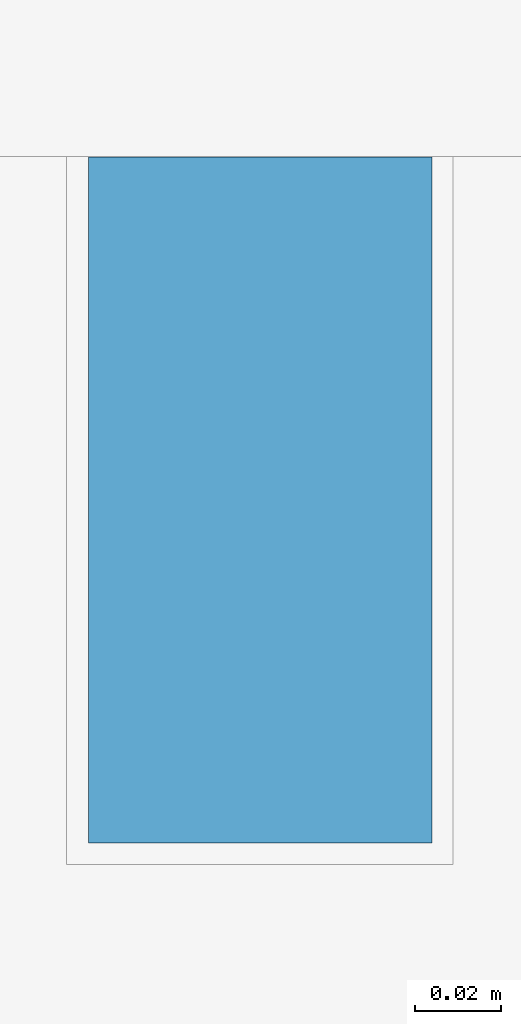
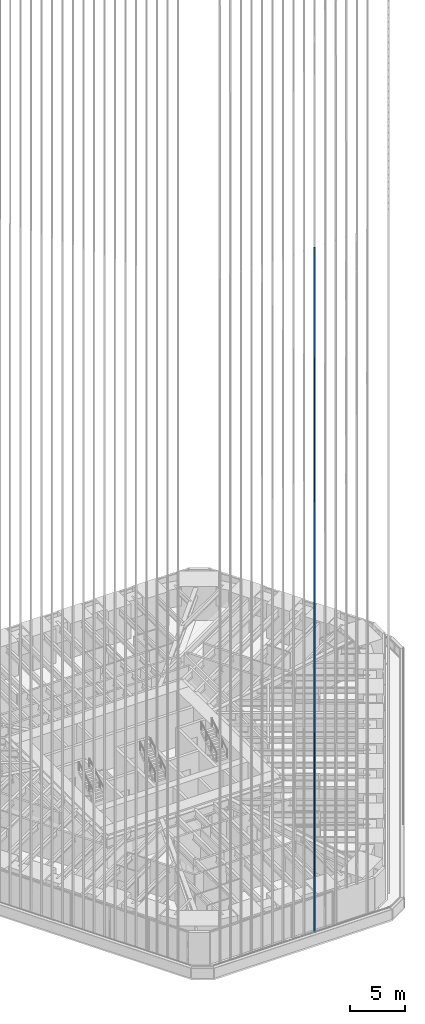
# One storey, part 60 of 238: 1 member, 1 element without a shape of its own.
"""IFC4 building model written with IfcOpenShell, lengths in metres."""

from ifc_helpers import new_model, si_unit, direction, frame, origin, origin_2d, place, context, subcontext, project, spatial, rectangle, extrude, material, material_profile, profile_set, type_object, element, aggregate, save


model = new_model("IFC4")

# Units and contexts
model_context = context("Model", 3, precision=1e-05, world=origin(), true_north=direction((0.0, 1.0)))
body_context = subcontext(model_context, "Body", "Model", "MODEL_VIEW")
ifc_project = project(units=[si_unit("LENGTHUNIT", "METRE"), si_unit("AREAUNIT", "SQUARE_METRE"), si_unit("VOLUMEUNIT", "CUBIC_METRE"), si_unit("PLANEANGLEUNIT", "RADIAN"), si_unit("MASSUNIT", "GRAM", prefix="KILO")], contexts=[model_context])

# Site, building, storey
site_placement = place(None, origin())
site = spatial("IfcSite", under=ifc_project, at=site_placement, CompositionType="ELEMENT")
building_placement = place(site_placement, origin())
building = spatial("IfcBuilding", under=site, at=building_placement, Name="Sandreach Pilgrim Tower", CompositionType="ELEMENT")
storey_placement = place(building_placement, frame((0.0, 0.0, 96.800048828125)))
storey = spatial("IfcBuildingStorey", under=building, at=storey_placement, Name="L23", CompositionType="ELEMENT", Elevation=96.800048828125)

# Curtain wall, member
ifc_material_1 = material(Name="Aluminium framed curtain wall", Category="aluminium")
curtain_wall_type = type_object("IfcCurtainWallType", Name="Hotel tower curtain wall", PredefinedType="NOTDEFINED", material=ifc_material_1)
curtain_wall_placement = place(storey_placement, origin())
curtain_wall = element("IfcCurtainWall", 1, at=curtain_wall_placement, inside=storey, type_object=curtain_wall_type, Name="CW-2 L23 SA", PredefinedType="NOTDEFINED")
ifc_material_2 = material(Name="Extruded terracotta on aluminium core", Category="masonry")
ifc_material_profile = material_profile(ifc_material_2, rectangle(XDim=0.080078125, YDim=0.159912109375, at=origin_2d()), Name="TBS 80X160")
ifc_profile_set = profile_set([ifc_material_profile], Name="Extruded terracotta on aluminium core")
member_type = type_object("IfcMemberType", Name="Terracotta baguette south", PredefinedType="USERDEFINED", material=ifc_profile_set)
member_placement = place(storey_placement, frame((2.207763671875, -28.572265625, 0.0), z_axis=(0.0, 0.0, 1.0), x_axis=(-1.0, 0.0, 0.0)))
member = element("IfcMember", 2, at=member_placement, type_object=member_type, Name="Baguette Z2 S06", ObjectType="BAGUETTE", PredefinedType="USERDEFINED", context=body_context, shape_type="SweptSolid", body=[
    extrude(rectangle(XDim=0.080078125, YDim=0.159912109375, at=origin_2d()), origin(), (0.0, 0.0, 1.0), 75.83984375),
])
aggregate(curtain_wall, [member])

save(model, "model.ifc")
